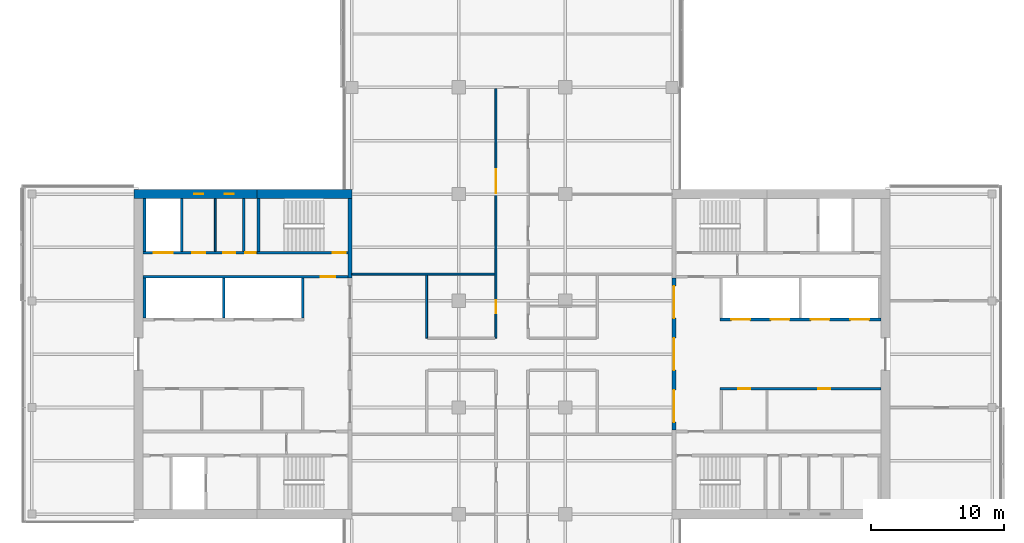
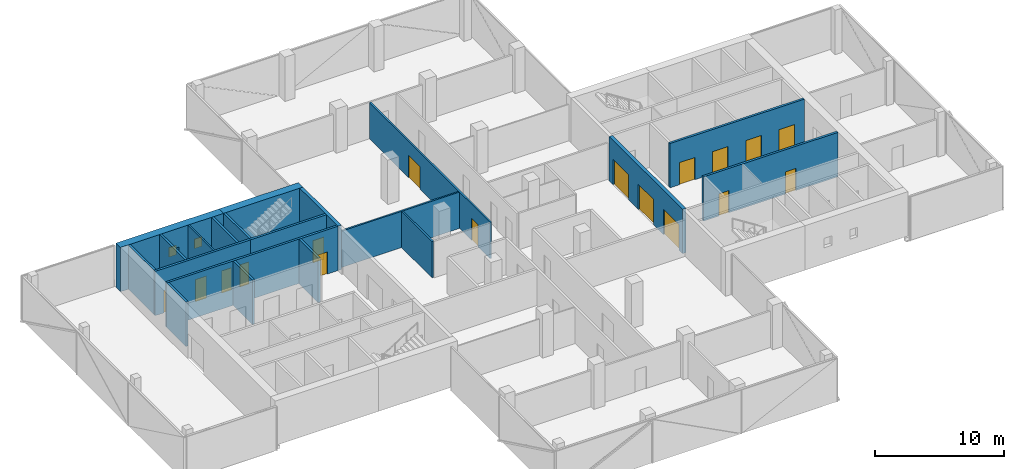
# One storey, part 15 of 22: 20 walls, 17 doors, 2 windows, 19 openings.
"""IFC4 building model written with IfcOpenShell, lengths in metres."""

import ifcopenshell
import ifcopenshell.guid

model = None  # the IFC model being written
_history = None  # IfcOwnerHistory: only IFC2X3 demands one
_inside = {}  # id of a spatial element -> (the spatial element, [elements in it])
_under = {}  # id of a project, library or spatial element -> (it, [spatial elements below it])
_declared = {}  # id of a project -> (the project, [libraries it declares])
_typed = {}  # id of a type object -> (the type object, [elements of that type])
_made_of = {}  # id of a material, layer set ... -> (it, [elements and type objects made of it])


def new_model(schema):
    """Start an empty IFC model of exactly this schema.

    Asked for "IFC4X3", IfcOpenShell would pick the latest addendum, in which some entities
    have other attributes; the version numbers below select the first issue.
    IFC2X3 requires an IfcOwnerHistory on every rooted entity: one is made here for all.
    """
    global model, _history
    if schema == "IFC4X3":
        model = ifcopenshell.file(schema_version=(4, 3, 0, 0))
    else:
        model = ifcopenshell.file(schema=schema)
    _inside.clear()
    _under.clear()
    _declared.clear()
    _typed.clear()
    _made_of.clear()
    _history = None
    if model.schema == "IFC2X3":
        org = make("IfcOrganization", Name="unknown")
        user = make(
            "IfcPersonAndOrganization",
            ThePerson=make("IfcPerson", FamilyName="unknown"),
            TheOrganization=org,
        )
        app = make(
            "IfcApplication",
            ApplicationDeveloper=org,
            Version="unknown",
            ApplicationFullName="unknown",
            ApplicationIdentifier="unknown",
        )
        _history = make(
            "IfcOwnerHistory",
            OwningUser=user,
            OwningApplication=app,
            ChangeAction="ADDED",
            CreationDate=0,
        )
    return model


def make(cls, **values):
    """One entity of the class cls with the attributes given. An attribute that is None is left unset."""
    return model.create_entity(
        cls, **{name: value for name, value in values.items() if value is not None}
    )


def rooted(cls, **values):
    """An entity with a GlobalId (a new one), such as an element, a storey or a relation."""
    return make(cls, GlobalId=ifcopenshell.guid.new(), OwnerHistory=_history, **values)


def si_unit(unit_type, name, prefix=None):
    """IfcSIUnit, for example si_unit("LENGTHUNIT", "METRE", prefix="MILLI")."""
    return make("IfcSIUnit", UnitType=unit_type, Prefix=prefix, Name=name)


def assignment(units):
    """IfcUnitAssignment: the units of a project."""
    return None if units is None else make("IfcUnitAssignment", Units=units)


def point(xyz):
    """IfcCartesianPoint."""
    return None if xyz is None else make("IfcCartesianPoint", Coordinates=xyz)


def direction(xyz):
    """IfcDirection."""
    return None if xyz is None else make("IfcDirection", DirectionRatios=xyz)


def frame(location, z_axis=None, x_axis=None):
    """IfcAxis2Placement3D, a coordinate frame: its origin and axes. An axis left out is left unset."""
    return make(
        "IfcAxis2Placement3D",
        Location=point(location),
        Axis=direction(z_axis),
        RefDirection=direction(x_axis),
    )


def frame_2d(location, x_axis=None):
    """IfcAxis2Placement2D, a coordinate frame in the plane: its origin and x axis."""
    return make(
        "IfcAxis2Placement2D", Location=point(location), RefDirection=direction(x_axis)
    )


def origin():
    """The frame at (0, 0, 0) with its axes left unset."""
    return frame((0.0, 0.0, 0.0))


def place(relative_to, where):
    """IfcLocalPlacement: puts the frame where relative to a parent placement (None: the world)."""
    return make(
        "IfcLocalPlacement", PlacementRelTo=relative_to, RelativePlacement=where
    )


def context(
    kind, dimensions, precision=None, world=None, true_north=None, identifier=None
):
    """IfcGeometricRepresentationContext, for example the 3D "Model" context."""
    return make(
        "IfcGeometricRepresentationContext",
        ContextIdentifier=identifier,
        ContextType=kind,
        CoordinateSpaceDimension=dimensions,
        Precision=precision,
        WorldCoordinateSystem=world,
        TrueNorth=true_north,
    )


def subcontext(parent, identifier, kind, view, scale=None):
    """IfcGeometricRepresentationSubContext, for example "Body" below "Model"."""
    return make(
        "IfcGeometricRepresentationSubContext",
        ContextIdentifier=identifier,
        ContextType=kind,
        ParentContext=parent,
        TargetScale=scale,
        TargetView=view,
    )


def project(units=None, contexts=None):
    """IfcProject with its units and contexts."""
    return rooted(
        "IfcProject",
        Name="project",
        RepresentationContexts=contexts,
        UnitsInContext=assignment(units),
    )


def spatial(cls, under=None, at=None, **own):
    """A site, building, storey or space (cls), placed at a placement, below another one or the project."""
    s = rooted(cls, ObjectPlacement=at, **own)
    if under is not None:
        _under.setdefault(under.id(), (under, []))[1].append(s)
    return s


def profile(cls, at=None, kind="AREA", **sizes):
    """A parametric profile (cls). Its sizes go by their IFC names, for example OverallWidth=200.0."""
    return make(cls, ProfileType=kind, Position=at, **sizes)


def rectangle(**sizes):
    """IfcRectangleProfileDef."""
    return profile("IfcRectangleProfileDef", **sizes)


def extrude(swept, where, along, depth):
    """IfcExtrudedAreaSolid: the profile swept, set in the frame where, extruded along a direction by depth."""
    return make(
        "IfcExtrudedAreaSolid",
        SweptArea=swept,
        Position=where,
        ExtrudedDirection=direction(along),
        Depth=depth,
    )


def shape(context_of_items, identifier, shape_type, items):
    """IfcShapeRepresentation: the items that make up one representation, for example the "Body"."""
    return make(
        "IfcShapeRepresentation",
        ContextOfItems=context_of_items,
        RepresentationIdentifier=identifier,
        RepresentationType=shape_type,
        Items=items,
    )


def material(Name=None, Category=None):
    """IfcMaterial."""
    return make("IfcMaterial", Name=Name, Category=Category)


def layer(
    of_material, thickness, ventilated=None, Name=None, Category=None, Priority=None
):
    """IfcMaterialLayer: one layer of a wall or slab, of a material (None: an air gap)."""
    return make(
        "IfcMaterialLayer",
        Material=of_material,
        LayerThickness=thickness,
        IsVentilated=ventilated,
        Name=Name,
        Category=Category,
        Priority=Priority,
    )


def layer_set(layers, Name=None):
    """IfcMaterialLayerSet."""
    return make("IfcMaterialLayerSet", MaterialLayers=layers, LayerSetName=Name)


def constituent(of_material, Name=None, Category=None, fraction=None):
    """IfcMaterialConstituent: one of the materials an element consists of."""
    return make(
        "IfcMaterialConstituent",
        Name=Name,
        Material=of_material,
        Fraction=fraction,
        Category=Category,
    )


def constituent_set(constituents=None, Name=None):
    """IfcMaterialConstituentSet."""
    return make(
        "IfcMaterialConstituentSet", Name=Name, MaterialConstituents=constituents
    )


def made_of(thing, what):
    """Note that an element or type object is made of a material, layer set ...; save() writes the relation."""
    if what is not None:
        _made_of.setdefault(what.id(), (what, []))[1].append(thing)
    return thing


def type_object(cls, material=None, **own):
    """A type object (cls), such as IfcWallType, which elements share."""
    return made_of(rooted(cls, **own), material)


def element(
    cls,
    number,
    at=None,
    inside=None,
    cuts=None,
    type_object=None,
    material=None,
    context=None,
    identifier="Body",
    shape_type=None,
    held_by="IfcProductDefinitionShape",
    body=None,
    shapes=None,
    **own,
):
    """One element of the class cls, such as IfcWall. Its Tag is "e" and its number.

    at: its placement. inside: the storey or other place that contains it. cuts: it is an
    opening in that element (IfcRelVoidsElement). A single representation is given by context,
    identifier, shape_type and body (its items); several are given by shapes. held_by: the class
    of the entity that holds the representations. save() writes the other relations.
    """
    e = rooted(cls, Tag="e%d" % number, ObjectPlacement=at, **own)
    if body is not None:
        shapes = [shape(context, identifier, shape_type, body)]
    if shapes is not None:
        e.Representation = make(held_by, Representations=shapes)
    if inside is not None:
        _inside.setdefault(inside.id(), (inside, []))[1].append(e)
    if cuts is not None:
        rooted(
            "IfcRelVoidsElement", RelatingBuildingElement=cuts, RelatedOpeningElement=e
        )
    if type_object is not None:
        _typed.setdefault(type_object.id(), (type_object, []))[1].append(e)
    return made_of(e, material)


def fill(opening, filler):
    """IfcRelFillsElement: the door or window that sits in an opening."""
    return rooted(
        "IfcRelFillsElement",
        RelatingOpeningElement=opening,
        RelatedBuildingElement=filler,
    )


def aggregate(whole, parts):
    """IfcRelAggregates: a whole, such as a stair, and the parts it consists of."""
    return rooted("IfcRelAggregates", RelatingObject=whole, RelatedObjects=parts)


def save(model, path):
    """Write the relations noted so far, then the file.

    IfcRelAggregates (storeys below a building ...), IfcRelContainedInSpatialStructure (elements
    in a storey), IfcRelDefinesByType, IfcRelAssociatesMaterial and IfcRelDeclares: one each for
    every whole, place, type object, material and project.
    """
    for whole, parts in _under.values():
        aggregate(whole, parts)
    for where, things in _inside.values():
        rooted(
            "IfcRelContainedInSpatialStructure",
            RelatedElements=things,
            RelatingStructure=where,
        )
    for kind, things in _typed.values():
        rooted("IfcRelDefinesByType", RelatedObjects=things, RelatingType=kind)
    for what, things in _made_of.values():
        rooted("IfcRelAssociatesMaterial", RelatedObjects=things, RelatingMaterial=what)
    for by, libraries in _declared.values():
        rooted("IfcRelDeclares", RelatingContext=by, RelatedDefinitions=libraries)
    model.write(path)


model = new_model("IFC4")

# Units and contexts
model_context = context("Model", 3, precision=1e-05, world=origin(), true_north=direction((0.0, 1.0)))
body_context = subcontext(model_context, "Body", "Model", "MODEL_VIEW")
ifc_project = project(units=[si_unit("LENGTHUNIT", "METRE"), si_unit("AREAUNIT", "SQUARE_METRE"), si_unit("VOLUMEUNIT", "CUBIC_METRE"), si_unit("PLANEANGLEUNIT", "RADIAN"), si_unit("MASSUNIT", "GRAM", prefix="KILO")], contexts=[model_context])

# Site, building, storey
site_placement = place(None, origin())
site = spatial("IfcSite", under=ifc_project, at=site_placement, CompositionType="ELEMENT")
building_placement = place(site_placement, origin())
building = spatial("IfcBuilding", under=site, at=building_placement, Name="Crosswind Convention Tower", CompositionType="ELEMENT")
storey_placement = place(building_placement, frame((0.0, 0.0, 146.300048828125)))
storey = spatial("IfcBuildingStorey", under=building, at=storey_placement, Name="L30", CompositionType="ELEMENT", Elevation=146.300048828125)

# Wall
ifc_material_1 = material(Name="Concrete blockwork", Category="masonry")
ifc_layer_1 = layer(ifc_material_1, 0.199951171875)
ifc_layer_set_1 = layer_set([ifc_layer_1], Name="Blockwork partition wall 200")
wall_type_1 = type_object("IfcWallType", Name="Blockwork partition wall 200", PredefinedType="PARTITIONING", material=ifc_layer_set_1)
wall_1_placement = place(storey_placement, frame((104.89990234375, 111.64990234375, 0.0), z_axis=(0.0, 0.0, 1.0), x_axis=(0.0, -1.0, 0.0)))
element("IfcWall", 1, at=wall_1_placement, inside=storey, type_object=wall_type_1, Name="Wall MRSE W L30", PredefinedType="PARTITIONING", context=body_context, shape_type="SweptSolid", body=[
    extrude(rectangle(XDim=3.949951171875, YDim=0.199951171875, at=frame_2d((1.97509765625, 0.0))), origin(), (0.0, 0.0, 1.0), 4.199951171875),
])

# Wall, openings, doors
ifc_material_2 = material(Name="Concrete C50/60", Category="concrete")
ifc_layer_2 = layer(ifc_material_2, 0.300048828125)
ifc_layer_set_2 = layer_set([ifc_layer_2], Name="Concrete C50/60")
wall_type_2 = type_object("IfcWallType", Name="Concrete inner core wall 300", PredefinedType="SHEAR", material=ifc_layer_set_2)
wall_2_placement = place(storey_placement, frame((137.14990234375, 94.300048828125, 0.0), z_axis=(0.0, 0.0, 1.0), x_axis=(0.0, 1.0, 0.0)))
wall_2 = element("IfcWall", 2, at=wall_2_placement, inside=storey, type_object=wall_type_2, Name="Wall SCR E L30", PredefinedType="SHEAR", context=body_context, shape_type="SweptSolid", body=[
    extrude(rectangle(XDim=11.39990234375, YDim=0.300048828125, at=frame_2d((5.699951171875, 0.0))), origin(), (0.0, 0.0, 1.0), 4.199951171875),
])
opening_1_placement = place(wall_2_placement, frame((0.60009765625, 0.0, 0.0)))
opening_1 = element("IfcOpeningElement", 3, at=opening_1_placement, cuts=wall_2, Name="Opening D100", PredefinedType="OPENING", context=body_context, shape_type="SweptSolid", body=[
    extrude(rectangle(XDim=2.39990234375, YDim=2.39990234375, at=frame_2d((1.199951171875, 1.199951171875))), frame((0.0, 0.159912109375, 0.0), z_axis=(0.0, -1.0, 0.0), x_axis=(1.0, 0.0, 0.0)), (0.0, 0.0, 1.0), 0.320068359375),
])
opening_2_placement = place(wall_2_placement, frame((4.5, 0.0, 0.0)))
opening_2 = element("IfcOpeningElement", 4, at=opening_2_placement, cuts=wall_2, Name="Opening D100", PredefinedType="OPENING", context=body_context, shape_type="SweptSolid", body=[
    extrude(rectangle(XDim=2.39990234375, YDim=2.39990234375, at=frame_2d((1.199951171875, 1.199951171875))), frame((0.0, 0.159912109375, 0.0), z_axis=(0.0, -1.0, 0.0), x_axis=(1.0, 0.0, 0.0)), (0.0, 0.0, 1.0), 0.320068359375),
])
opening_3_placement = place(wall_2_placement, frame((8.39990234375, 0.0, 0.0)))
opening_3 = element("IfcOpeningElement", 5, at=opening_3_placement, cuts=wall_2, Name="Opening D100", PredefinedType="OPENING", context=body_context, shape_type="SweptSolid", body=[
    extrude(rectangle(XDim=2.39990234375, YDim=2.39990234375, at=frame_2d((1.199951171875, 1.199951171875))), frame((0.0, 0.159912109375, 0.0), z_axis=(0.0, -1.0, 0.0), x_axis=(1.0, 0.0, 0.0)), (0.0, 0.0, 1.0), 0.320068359375),
])
ifc_material_3 = material(Name="Steel fire door with glazed vision panels", Category="steel")
door_type_1 = type_object("IfcDoorType", Name="Fire-rated double door 2400x2400", OperationType="DOUBLE_DOOR_SINGLE_SWING", PredefinedType="DOOR", material=ifc_material_3)
door_1_placement = place(opening_1_placement, origin())
door_1 = element("IfcDoor", 6, at=door_1_placement, inside=storey, type_object=door_type_1, Name="Lobby door 1 L30", ObjectType="D100", OperationType="DOUBLE_DOOR_SINGLE_SWING", OverallHeight=2.39990234375, OverallWidth=2.39990234375, PredefinedType="DOOR", context=body_context, shape_type="SweptSolid", body=[
    extrude(rectangle(XDim=2.39990234375, YDim=2.39990234375, at=frame_2d((1.199951171875, 1.199951171875))), frame((0.0, 0.02490234375, 0.0), z_axis=(0.0, -1.0, 0.0), x_axis=(1.0, 0.0, 0.0)), (0.0, 0.0, 1.0), 0.050048828125),
])
fill(opening_1, door_1)
door_2_placement = place(opening_2_placement, origin())
door_2 = element("IfcDoor", 7, at=door_2_placement, inside=storey, type_object=door_type_1, Name="Lobby door 2 L30", ObjectType="D100", OperationType="DOUBLE_DOOR_SINGLE_SWING", OverallHeight=2.39990234375, OverallWidth=2.39990234375, PredefinedType="DOOR", context=body_context, shape_type="SweptSolid", body=[
    extrude(rectangle(XDim=2.39990234375, YDim=2.39990234375, at=frame_2d((1.199951171875, 1.199951171875))), frame((0.0, 0.02490234375, 0.0), z_axis=(0.0, -1.0, 0.0), x_axis=(1.0, 0.0, 0.0)), (0.0, 0.0, 1.0), 0.050048828125),
])
fill(opening_2, door_2)
door_3_placement = place(opening_3_placement, origin())
door_3 = element("IfcDoor", 8, at=door_3_placement, inside=storey, type_object=door_type_1, Name="Lobby door 3 L30", ObjectType="D100", OperationType="DOUBLE_DOOR_SINGLE_SWING", OverallHeight=2.39990234375, OverallWidth=2.39990234375, PredefinedType="DOOR", context=body_context, shape_type="SweptSolid", body=[
    extrude(rectangle(XDim=2.39990234375, YDim=2.39990234375, at=frame_2d((1.199951171875, 1.199951171875))), frame((0.0, 0.02490234375, 0.0), z_axis=(0.0, -1.0, 0.0), x_axis=(1.0, 0.0, 0.0)), (0.0, 0.0, 1.0), 0.050048828125),
])
fill(opening_3, door_3)

# Wall
wall_3_placement = place(storey_placement, frame((112.85009765625, 111.64990234375, 0.0), z_axis=(0.0, 0.0, 1.0), x_axis=(0.0, -1.0, 0.0)))
element("IfcWall", 9, at=wall_3_placement, inside=storey, type_object=wall_type_2, Name="Wall EM W L30", PredefinedType="SHEAR", context=body_context, shape_type="SweptSolid", body=[
    extrude(rectangle(XDim=5.949951171875, YDim=0.300048828125, at=frame_2d((2.97509765625, 0.0))), origin(), (0.0, 0.0, 1.0), 4.199951171875),
])

# Wall, openings, doors
ifc_layer_3 = layer(ifc_material_2, 0.199951171875)
ifc_layer_set_3 = layer_set([ifc_layer_3], Name="Concrete C50/60")
wall_type_3 = type_object("IfcWallType", Name="Concrete shaft and stair wall 200", PredefinedType="SHEAR", material=ifc_layer_set_3)
wall_4_placement = place(storey_placement, frame((140.60009765625, 102.60009765625, 0.0), z_axis=(0.0, 0.0, 1.0), x_axis=(1.0, 0.0, 0.0)))
wall_4 = element("IfcWall", 10, at=wall_4_placement, inside=storey, type_object=wall_type_3, Name="Wall RPFRONT E L30", PredefinedType="SHEAR", context=body_context, shape_type="SweptSolid", body=[
    extrude(rectangle(XDim=12.0498046875, YDim=0.199951171875, at=frame_2d((6.02490234375, 0.0))), origin(), (0.0, 0.0, 1.0), 4.199951171875),
])
opening_4_placement = place(wall_4_placement, frame((0.85009765625, 0.0, 0.0)))
opening_4 = element("IfcOpeningElement", 11, at=opening_4_placement, cuts=wall_4, Name="Opening LD2", PredefinedType="OPENING", context=body_context, shape_type="SweptSolid", body=[
    extrude(rectangle(XDim=1.39990234375, YDim=2.10009765625, at=frame_2d((0.699951171875, 1.050048828125))), frame((0.0, 0.10986328125, 0.0), z_axis=(0.0, -1.0, 0.0), x_axis=(1.0, 0.0, 0.0)), (0.0, 0.0, 1.0), 0.219970703125),
])
opening_5_placement = place(wall_4_placement, frame((3.800048828125, 0.0, 0.0)))
opening_5 = element("IfcOpeningElement", 12, at=opening_5_placement, cuts=wall_4, Name="Opening LD2", PredefinedType="OPENING", context=body_context, shape_type="SweptSolid", body=[
    extrude(rectangle(XDim=1.39990234375, YDim=2.10009765625, at=frame_2d((0.699951171875, 1.050048828125))), frame((0.0, 0.10986328125, 0.0), z_axis=(0.0, -1.0, 0.0), x_axis=(1.0, 0.0, 0.0)), (0.0, 0.0, 1.0), 0.219970703125),
])
opening_6_placement = place(wall_4_placement, frame((6.800048828125, 0.0, 0.0)))
opening_6 = element("IfcOpeningElement", 13, at=opening_6_placement, cuts=wall_4, Name="Opening LD2", PredefinedType="OPENING", context=body_context, shape_type="SweptSolid", body=[
    extrude(rectangle(XDim=1.39990234375, YDim=2.10009765625, at=frame_2d((0.699951171875, 1.050048828125))), frame((0.0, 0.10986328125, 0.0), z_axis=(0.0, -1.0, 0.0), x_axis=(1.0, 0.0, 0.0)), (0.0, 0.0, 1.0), 0.219970703125),
])
opening_7_placement = place(wall_4_placement, frame((9.77490234375, 0.0, 0.0)))
opening_7 = element("IfcOpeningElement", 14, at=opening_7_placement, cuts=wall_4, Name="Opening LD2", PredefinedType="OPENING", context=body_context, shape_type="SweptSolid", body=[
    extrude(rectangle(XDim=1.39990234375, YDim=2.10009765625, at=frame_2d((0.699951171875, 1.050048828125))), frame((0.0, 0.10986328125, 0.0), z_axis=(0.0, -1.0, 0.0), x_axis=(1.0, 0.0, 0.0)), (0.0, 0.0, 1.0), 0.219970703125),
])
ifc_material_4 = material(Name="Stainless steel", Category="steel")
door_type_2 = type_object("IfcDoorType", Name="Lift landing door 1400x2100", OperationType="DOUBLE_DOOR_SLIDING", PredefinedType="DOOR", material=ifc_material_4)
door_4_placement = place(opening_4_placement, origin())
door_4 = element("IfcDoor", 15, at=door_4_placement, inside=storey, type_object=door_type_2, Name="Landing door A1 L30", ObjectType="LD2", OperationType="DOUBLE_DOOR_SLIDING", OverallHeight=2.10009765625, OverallWidth=1.39990234375, PredefinedType="DOOR", context=body_context, shape_type="SweptSolid", body=[
    extrude(rectangle(XDim=1.39990234375, YDim=2.10009765625, at=frame_2d((0.699951171875, 1.050048828125))), frame((0.0, 0.02490234375, 0.0), z_axis=(0.0, -1.0, 0.0), x_axis=(1.0, 0.0, 0.0)), (0.0, 0.0, 1.0), 0.050048828125),
])
fill(opening_4, door_4)
door_5_placement = place(opening_5_placement, origin())
door_5 = element("IfcDoor", 16, at=door_5_placement, inside=storey, type_object=door_type_2, Name="Landing door A2 L30", ObjectType="LD2", OperationType="DOUBLE_DOOR_SLIDING", OverallHeight=2.10009765625, OverallWidth=1.39990234375, PredefinedType="DOOR", context=body_context, shape_type="SweptSolid", body=[
    extrude(rectangle(XDim=1.39990234375, YDim=2.10009765625, at=frame_2d((0.699951171875, 1.050048828125))), frame((0.0, 0.02490234375, 0.0), z_axis=(0.0, -1.0, 0.0), x_axis=(1.0, 0.0, 0.0)), (0.0, 0.0, 1.0), 0.050048828125),
])
fill(opening_5, door_5)
door_6_placement = place(opening_6_placement, origin())
door_6 = element("IfcDoor", 17, at=door_6_placement, inside=storey, type_object=door_type_2, Name="Landing door A3 L30", ObjectType="LD2", OperationType="DOUBLE_DOOR_SLIDING", OverallHeight=2.10009765625, OverallWidth=1.39990234375, PredefinedType="DOOR", context=body_context, shape_type="SweptSolid", body=[
    extrude(rectangle(XDim=1.39990234375, YDim=2.10009765625, at=frame_2d((0.699951171875, 1.050048828125))), frame((0.0, 0.02490234375, 0.0), z_axis=(0.0, -1.0, 0.0), x_axis=(1.0, 0.0, 0.0)), (0.0, 0.0, 1.0), 0.050048828125),
])
fill(opening_6, door_6)
door_7_placement = place(opening_7_placement, origin())
door_7 = element("IfcDoor", 18, at=door_7_placement, inside=storey, type_object=door_type_2, Name="Landing door A4 L30", ObjectType="LD2", OperationType="DOUBLE_DOOR_SLIDING", OverallHeight=2.10009765625, OverallWidth=1.39990234375, PredefinedType="DOOR", context=body_context, shape_type="SweptSolid", body=[
    extrude(rectangle(XDim=1.39990234375, YDim=2.10009765625, at=frame_2d((0.699951171875, 1.050048828125))), frame((0.0, 0.02490234375, 0.0), z_axis=(0.0, -1.0, 0.0), x_axis=(1.0, 0.0, 0.0)), (0.0, 0.0, 1.0), 0.050048828125),
])
fill(opening_7, door_7)

wall_5_placement = place(storey_placement, frame((140.60009765625, 97.39990234375, 0.0), z_axis=(0.0, 0.0, 1.0), x_axis=(1.0, 0.0, 0.0)))
wall_5 = element("IfcWall", 19, at=wall_5_placement, inside=storey, type_object=wall_type_3, Name="Wall RMFRONT E L30", PredefinedType="SHEAR", context=body_context, shape_type="SweptSolid", body=[
    extrude(rectangle(XDim=12.0498046875, YDim=0.199951171875, at=frame_2d((6.02490234375, 0.0))), origin(), (0.0, 0.0, 1.0), 4.199951171875),
])
opening_8_placement = place(wall_5_placement, frame((1.377685546875, 0.0, 0.0)))
opening_8 = element("IfcOpeningElement", 20, at=opening_8_placement, cuts=wall_5, Name="Opening D106", PredefinedType="OPENING", context=body_context, shape_type="SweptSolid", body=[
    extrude(rectangle(XDim=0.89990234375, YDim=2.10009765625, at=frame_2d((0.449951171875, 1.050048828125))), frame((0.0, 0.10986328125, 0.0), z_axis=(0.0, -1.0, 0.0), x_axis=(1.0, 0.0, 0.0)), (0.0, 0.0, 1.0), 0.219970703125),
])
opening_9_placement = place(wall_5_placement, frame((7.365234375, 0.0, 0.0)))
opening_9 = element("IfcOpeningElement", 21, at=opening_9_placement, cuts=wall_5, Name="Opening D106", PredefinedType="OPENING", context=body_context, shape_type="SweptSolid", body=[
    extrude(rectangle(XDim=0.89990234375, YDim=2.10009765625, at=frame_2d((0.449951171875, 1.050048828125))), frame((0.0, 0.10986328125, 0.0), z_axis=(0.0, -1.0, 0.0), x_axis=(1.0, 0.0, 0.0)), (0.0, 0.0, 1.0), 0.219970703125),
])
ifc_material_5 = material(Name="Timber door", Category="wood")
door_type_3 = type_object("IfcDoorType", Name="Single leaf door 900x2100", OperationType="NOTDEFINED", PredefinedType="DOOR", material=ifc_material_5)
door_8_placement = place(opening_8_placement, frame((0.89990234375, 0.0, 0.0), z_axis=(0.0, 0.0, 1.0), x_axis=(-1.0, 0.0, 0.0)))
door_8 = element("IfcDoor", 22, at=door_8_placement, inside=storey, type_object=door_type_3, Name="Door to copy and print room L30", ObjectType="D106", OperationType="SINGLE_SWING_LEFT", OverallHeight=2.10009765625, OverallWidth=0.89990234375, PredefinedType="DOOR", context=body_context, shape_type="SweptSolid", body=[
    extrude(rectangle(XDim=0.89990234375, YDim=2.10009765625, at=frame_2d((0.449951171875, 1.050048828125))), frame((0.0, 0.02490234375, 0.0), z_axis=(0.0, -1.0, 0.0), x_axis=(1.0, 0.0, 0.0)), (0.0, 0.0, 1.0), 0.050048828125),
])
fill(opening_8, door_8)
door_9_placement = place(opening_9_placement, frame((0.89990234375, 0.0, 0.0), z_axis=(0.0, 0.0, 1.0), x_axis=(-1.0, 0.0, 0.0)))
door_9 = element("IfcDoor", 23, at=door_9_placement, inside=storey, type_object=door_type_3, Name="Door to meeting room L30", ObjectType="D106", OperationType="SINGLE_SWING_LEFT", OverallHeight=2.10009765625, OverallWidth=0.89990234375, PredefinedType="DOOR", context=body_context, shape_type="SweptSolid", body=[
    extrude(rectangle(XDim=0.89990234375, YDim=2.10009765625, at=frame_2d((0.449951171875, 1.050048828125))), frame((0.0, 0.02490234375, 0.0), z_axis=(0.0, -1.0, 0.0), x_axis=(1.0, 0.0, 0.0)), (0.0, 0.0, 1.0), 0.050048828125),
])
fill(opening_9, door_9)

# Walls
for number, where, z_axis, x_axis, name in (
    (24, (109.300048828125, 105.699951171875, 0.0), (0.0, 0.0, 1.0), (0.0, -1.0, 0.0), "Wall RMEND W L30"),
    (25, (103.39990234375, 105.699951171875, 0.0), (0.0, 0.0, 1.0), (0.0, -1.0, 0.0), "Wall RMSEP W L30"),
    (26, (97.449951171875, 105.699951171875, 0.0), (0.0, 0.0, 1.0), (0.0, -1.0, 0.0), "Wall RMEAST W L30"),
):
    element("IfcWall", number, at=place(storey_placement, frame(where, z_axis=z_axis, x_axis=x_axis)), inside=storey, type_object=wall_type_3, Name=name, PredefinedType="SHEAR", context=body_context, shape_type="SweptSolid", body=[
        extrude(rectangle(XDim=3.0, YDim=0.199951171875, at=frame_2d((1.5, 0.0))), origin(), (0.0, 0.0, 1.0), 4.199951171875),
    ])

# Wall, opening, door
wall_6_placement = place(storey_placement, frame((112.699951171875, 105.800048828125, 0.0), z_axis=(0.0, 0.0, 1.0), x_axis=(-1.0, 0.0, 0.0)))
wall_6 = element("IfcWall", 27, at=wall_6_placement, inside=storey, type_object=wall_type_3, Name="Wall HM W L30", PredefinedType="SHEAR", context=body_context, shape_type="SweptSolid", body=[
    extrude(rectangle(XDim=15.349853515625, YDim=0.199951171875, at=frame_2d((7.6748046875, 0.0))), origin(), (0.0, 0.0, 1.0), 4.199951171875),
])
opening_10_placement = place(wall_6_placement, frame((0.949951171875, 0.0, 0.0)))
opening_10 = element("IfcOpeningElement", 28, at=opening_10_placement, cuts=wall_6, Name="Opening D104", PredefinedType="OPENING", context=body_context, shape_type="SweptSolid", body=[
    extrude(rectangle(XDim=1.10009765625, YDim=2.10009765625, at=frame_2d((0.550048828125, 1.050048828125))), frame((0.0, 0.10986328125, 0.0), z_axis=(0.0, -1.0, 0.0), x_axis=(1.0, 0.0, 0.0)), (0.0, 0.0, 1.0), 0.219970703125),
])
ifc_material_6 = material(Name="Steel fire door", Category="steel")
door_type_4 = type_object("IfcDoorType", Name="Fire-rated single door 1100x2100", OperationType="NOTDEFINED", PredefinedType="DOOR", material=ifc_material_6)
door_10_placement = place(opening_10_placement, origin())
door_10 = element("IfcDoor", 29, at=door_10_placement, inside=storey, type_object=door_type_4, Name="Corridor door L30", ObjectType="D104", OperationType="SINGLE_SWING_LEFT", OverallHeight=2.10009765625, OverallWidth=1.10009765625, PredefinedType="DOOR", context=body_context, shape_type="SweptSolid", body=[
    extrude(rectangle(XDim=1.10009765625, YDim=2.10009765625, at=frame_2d((0.550048828125, 1.050048828125))), frame((0.0, 0.02490234375, 0.0), z_axis=(0.0, -1.0, 0.0), x_axis=(1.0, 0.0, 0.0)), (0.0, 0.0, 1.0), 0.050048828125),
])
fill(opening_10, door_10)

# Walls
for number, where, z_axis, x_axis, name in (
    (30, (106.0, 111.64990234375, 0.0), (0.0, 0.0, 1.0), (0.0, -1.0, 0.0), "Wall MSE W L30"),
    (31, (100.25, 111.64990234375, 0.0), (0.0, 0.0, 1.0), (0.0, -1.0, 0.0), "Wall MFSW W L30"),
    (32, (97.449951171875, 111.64990234375, 0.0), (0.0, 0.0, 1.0), (0.0, -1.0, 0.0), "Wall MFSE W L30"),
):
    element("IfcWall", number, at=place(storey_placement, frame(where, z_axis=z_axis, x_axis=x_axis)), inside=storey, type_object=wall_type_3, Name=name, PredefinedType="SHEAR", context=body_context, shape_type="SweptSolid", body=[
        extrude(rectangle(XDim=3.949951171875, YDim=0.199951171875, at=frame_2d((1.97509765625, 0.0))), origin(), (0.0, 0.0, 1.0), 4.199951171875),
    ])

# Wall, opening, door
wall_7_placement = place(storey_placement, frame((112.699951171875, 107.60009765625, 0.0), z_axis=(0.0, 0.0, 1.0), x_axis=(-1.0, 0.0, 0.0)))
wall_7 = element("IfcWall", 33, at=wall_7_placement, inside=storey, type_object=wall_type_3, Name="Wall MCW W L30", PredefinedType="SHEAR", context=body_context, shape_type="SweptSolid", body=[
    extrude(rectangle(XDim=6.800048828125, YDim=0.199951171875, at=frame_2d((3.39990234375, 0.0))), origin(), (0.0, 0.0, 1.0), 4.199951171875),
])
opening_11_placement = place(wall_7_placement, frame((0.14990234375, 0.0, 0.0)))
opening_11 = element("IfcOpeningElement", 34, at=opening_11_placement, cuts=wall_7, Name="Opening D103", PredefinedType="OPENING", context=body_context, shape_type="SweptSolid", body=[
    extrude(rectangle(XDim=1.0, YDim=2.10009765625, at=frame_2d((0.5, 1.050048828125))), frame((0.0, 0.10986328125, 0.0), z_axis=(0.0, -1.0, 0.0), x_axis=(1.0, 0.0, 0.0)), (0.0, 0.0, 1.0), 0.219970703125),
])
door_type_5 = type_object("IfcDoorType", Name="Fire-rated single door 1000x2100", OperationType="NOTDEFINED", PredefinedType="DOOR", material=ifc_material_6)
door_11_placement = place(opening_11_placement, frame((1.0, 0.0, 0.0), z_axis=(0.0, 0.0, 1.0), x_axis=(-1.0, 0.0, 0.0)))
door_11 = element("IfcDoor", 35, at=door_11_placement, inside=storey, type_object=door_type_5, Name="Stair ST4 door L30", ObjectType="D103", OperationType="SINGLE_SWING_RIGHT", OverallHeight=2.10009765625, OverallWidth=1.0, PredefinedType="DOOR", context=body_context, shape_type="SweptSolid", body=[
    extrude(rectangle(XDim=1.0, YDim=2.10009765625, at=frame_2d((0.5, 1.050048828125))), frame((0.0, 0.02490234375, 0.0), z_axis=(0.0, -1.0, 0.0), x_axis=(1.0, 0.0, 0.0)), (0.0, 0.0, 1.0), 0.050048828125),
])
fill(opening_11, door_11)

# Wall, openings, doors
wall_8_placement = place(storey_placement, frame((105.89990234375, 107.60009765625, 0.0), z_axis=(0.0, 0.0, 1.0), x_axis=(-1.0, 0.0, 0.0)))
wall_8 = element("IfcWall", 36, at=wall_8_placement, inside=storey, type_object=wall_type_3, Name="Wall MCX W L30", PredefinedType="SHEAR", context=body_context, shape_type="SweptSolid", body=[
    extrude(rectangle(XDim=8.5498046875, YDim=0.199951171875, at=frame_2d((4.27490234375, 0.0))), origin(), (0.0, 0.0, 1.0), 4.199951171875),
])
opening_12_placement = place(wall_8_placement, frame((0.10009765625, 0.0, 0.0)))
opening_12 = element("IfcOpeningElement", 37, at=opening_12_placement, cuts=wall_8, Name="Opening D105", PredefinedType="OPENING", context=body_context, shape_type="SweptSolid", body=[
    extrude(rectangle(XDim=0.800048828125, YDim=2.10009765625, at=frame_2d((0.39990234375, 1.050048828125))), frame((0.0, 0.10986328125, 0.0), z_axis=(0.0, -1.0, 0.0), x_axis=(1.0, 0.0, 0.0)), (0.0, 0.0, 1.0), 0.219970703125),
])
opening_13_placement = place(wall_8_placement, frame((1.642333984375, 0.0, 0.0)))
opening_13 = element("IfcOpeningElement", 38, at=opening_13_placement, cuts=wall_8, Name="Opening D106", PredefinedType="OPENING", context=body_context, shape_type="SweptSolid", body=[
    extrude(rectangle(XDim=0.89990234375, YDim=2.10009765625, at=frame_2d((0.449951171875, 1.050048828125))), frame((0.0, 0.10986328125, 0.0), z_axis=(0.0, -1.0, 0.0), x_axis=(1.0, 0.0, 0.0)), (0.0, 0.0, 1.0), 0.219970703125),
])
opening_14_placement = place(wall_8_placement, frame((3.879638671875, 0.0, 0.0)))
opening_14 = element("IfcOpeningElement", 39, at=opening_14_placement, cuts=wall_8, Name="Opening D103", PredefinedType="OPENING", context=body_context, shape_type="SweptSolid", body=[
    extrude(rectangle(XDim=1.0, YDim=2.10009765625, at=frame_2d((0.5, 1.050048828125))), frame((0.0, 0.10986328125, 0.0), z_axis=(0.0, -1.0, 0.0), x_axis=(1.0, 0.0, 0.0)), (0.0, 0.0, 1.0), 0.219970703125),
])
opening_15_placement = place(wall_8_placement, frame((6.35009765625, 0.0, 0.0)))
opening_15 = element("IfcOpeningElement", 40, at=opening_15_placement, cuts=wall_8, Name="Opening LD2", PredefinedType="OPENING", context=body_context, shape_type="SweptSolid", body=[
    extrude(rectangle(XDim=1.39990234375, YDim=2.10009765625, at=frame_2d((0.699951171875, 1.050048828125))), frame((0.0, 0.10986328125, 0.0), z_axis=(0.0, -1.0, 0.0), x_axis=(1.0, 0.0, 0.0)), (0.0, 0.0, 1.0), 0.219970703125),
])
door_12_placement = place(opening_14_placement, frame((1.0, 0.0, 0.0), z_axis=(0.0, 0.0, 1.0), x_axis=(-1.0, 0.0, 0.0)))
door_12 = element("IfcDoor", 41, at=door_12_placement, inside=storey, type_object=door_type_5, Name="Door to accessible wc L30", ObjectType="D103", OperationType="SINGLE_SWING_LEFT", OverallHeight=2.10009765625, OverallWidth=1.0, PredefinedType="DOOR", context=body_context, shape_type="SweptSolid", body=[
    extrude(rectangle(XDim=1.0, YDim=2.10009765625, at=frame_2d((0.5, 1.050048828125))), frame((0.0, 0.02490234375, 0.0), z_axis=(0.0, -1.0, 0.0), x_axis=(1.0, 0.0, 0.0)), (0.0, 0.0, 1.0), 0.050048828125),
])
fill(opening_14, door_12)
door_13_placement = place(opening_15_placement, origin())
door_13 = element("IfcDoor", 42, at=door_13_placement, inside=storey, type_object=door_type_2, Name="Landing door SV2 L30", ObjectType="LD2", OperationType="DOUBLE_DOOR_SLIDING", OverallHeight=2.10009765625, OverallWidth=1.39990234375, PredefinedType="DOOR", context=body_context, shape_type="SweptSolid", body=[
    extrude(rectangle(XDim=1.39990234375, YDim=2.10009765625, at=frame_2d((0.699951171875, 1.050048828125))), frame((0.0, 0.02490234375, 0.0), z_axis=(0.0, -1.0, 0.0), x_axis=(1.0, 0.0, 0.0)), (0.0, 0.0, 1.0), 0.050048828125),
])
fill(opening_15, door_13)
door_type_6 = type_object("IfcDoorType", Name="Riser access door 800x2100", OperationType="NOTDEFINED", PredefinedType="DOOR", material=ifc_material_6)
door_14_placement = place(opening_12_placement, frame((0.800048828125, 0.0, 0.0), z_axis=(0.0, 0.0, 1.0), x_axis=(-1.0, 0.0, 0.0)))
door_14 = element("IfcDoor", 43, at=door_14_placement, inside=storey, type_object=door_type_6, Name="Riser door L30", ObjectType="D105", OperationType="SINGLE_SWING_LEFT", OverallHeight=2.10009765625, OverallWidth=0.800048828125, PredefinedType="DOOR", context=body_context, shape_type="SweptSolid", body=[
    extrude(rectangle(XDim=0.800048828125, YDim=2.10009765625, at=frame_2d((0.39990234375, 1.050048828125))), frame((0.0, 0.02490234375, 0.0), z_axis=(0.0, -1.0, 0.0), x_axis=(1.0, 0.0, 0.0)), (0.0, 0.0, 1.0), 0.050048828125),
])
fill(opening_12, door_14)
door_15_placement = place(opening_13_placement, frame((0.89990234375, 0.0, 0.0), z_axis=(0.0, 0.0, 1.0), x_axis=(-1.0, 0.0, 0.0)))
door_15 = element("IfcDoor", 44, at=door_15_placement, inside=storey, type_object=door_type_3, Name="Door to wc L30", ObjectType="D106", OperationType="SINGLE_SWING_LEFT", OverallHeight=2.10009765625, OverallWidth=0.89990234375, PredefinedType="DOOR", context=body_context, shape_type="SweptSolid", body=[
    extrude(rectangle(XDim=0.89990234375, YDim=2.10009765625, at=frame_2d((0.449951171875, 1.050048828125))), frame((0.0, 0.02490234375, 0.0), z_axis=(0.0, -1.0, 0.0), x_axis=(1.0, 0.0, 0.0)), (0.0, 0.0, 1.0), 0.050048828125),
])
fill(opening_13, door_15)

# Walls
ifc_material_7 = material(Name="Gypsum plasterboard partition", Category="gypsum")
ifc_layer_4 = layer(ifc_material_7, 0.125)
ifc_layer_set_4 = layer_set([ifc_layer_4], Name="Drywall partition wall 125")
wall_type_4 = type_object("IfcWallType", Name="Drywall partition wall 125", PredefinedType="PARTITIONING", material=ifc_layer_set_4)
wall_9_placement = place(storey_placement, frame((102.7529296875, 111.64990234375, 0.0), z_axis=(0.0, 0.0, 1.0), x_axis=(0.0, -1.0, 0.0)))
element("IfcWall", 45, at=wall_9_placement, inside=storey, type_object=wall_type_4, Name="Wall MWP1 W L30", PredefinedType="PARTITIONING", context=body_context, shape_type="SweptSolid", body=[
    extrude(rectangle(XDim=3.949951171875, YDim=0.125, at=frame_2d((1.97509765625, 0.0))), origin(), (0.0, 0.0, 1.0), 4.199951171875),
])
ifc_material_8 = material(Name="Fire-board partition with mineral wool", Category="gypsum")
ifc_layer_5 = layer(ifc_material_8, 0.14990234375)
ifc_layer_set_5 = layer_set([ifc_layer_5], Name="TENANCY WALL 150 TWO-HOUR BOARD")
wall_type_5 = type_object("IfcWallType", Name="TENANCY WALL 150 TWO-HOUR BOARD", PredefinedType="PARTITIONING", material=ifc_layer_set_5)
wall_10_placement = place(storey_placement, frame((118.60009765625, 101.199951171875, 0.0), z_axis=(0.0, 0.0, 1.0), x_axis=(0.0, 1.0, 0.0)))
element("IfcWall", 46, at=wall_10_placement, inside=storey, type_object=wall_type_5, Name="Tenancy wall WT41", PredefinedType="PARTITIONING", context=body_context, shape_type="SweptSolid", body=[
    extrude(rectangle(XDim=4.72509765625, YDim=0.14990234375, at=frame_2d((2.362548828125, 0.0))), origin(), (0.0, 0.0, 1.0), 3.436279296875),
])

# Wall, openings, doors
wall_11_placement = place(storey_placement, frame((123.800048828125, 101.199951171875, 0.0), z_axis=(0.0, 0.0, 1.0), x_axis=(0.0, 1.0, 0.0)))
wall_11 = element("IfcWall", 47, at=wall_11_placement, inside=storey, type_object=wall_type_5, Name="Tenancy wall WT41", PredefinedType="PARTITIONING", context=body_context, shape_type="SweptSolid", body=[
    extrude(rectangle(XDim=18.72509765625, YDim=0.14990234375, at=frame_2d((9.362548828125, 0.0))), origin(), (0.0, 0.0, 1.0), 3.436279296875),
])
opening_16_placement = place(wall_11_placement, frame((1.85009765625, 0.0, 0.0)))
opening_16 = element("IfcOpeningElement", 48, at=opening_16_placement, cuts=wall_11, Name="Opening L30-56", PredefinedType="OPENING", context=body_context, shape_type="SweptSolid", body=[
    extrude(rectangle(XDim=1.0, YDim=2.10009765625, at=frame_2d((0.5, 1.050048828125))), frame((0.0, 0.0849609375, 0.0), z_axis=(0.0, -1.0, 0.0), x_axis=(1.0, 0.0, 0.0)), (0.0, 0.0, 1.0), 0.169921875),
])
opening_17_placement = place(wall_11_placement, frame((10.85009765625, 0.0, 0.0)))
opening_17 = element("IfcOpeningElement", 49, at=opening_17_placement, cuts=wall_11, Name="Opening L30-57", PredefinedType="OPENING", context=body_context, shape_type="SweptSolid", body=[
    extrude(rectangle(XDim=1.800048828125, YDim=2.10009765625, at=frame_2d((0.89990234375, 1.050048828125))), frame((0.0, 0.0849609375, 0.0), z_axis=(0.0, -1.0, 0.0), x_axis=(1.0, 0.0, 0.0)), (0.0, 0.0, 1.0), 0.169921875),
])
ifc_material_9 = material(Name="Timber fire door", Category="wood")
door_type_7 = type_object("IfcDoorType", Name="TENANCY ENTRANCE DOOR 1000X2100 FD30S", OperationType="NOTDEFINED", PredefinedType="DOOR", material=ifc_material_9)
door_16_placement = place(opening_16_placement, origin())
door_16 = element("IfcDoor", 50, at=door_16_placement, inside=storey, type_object=door_type_7, Name="Door L30-56", ObjectType="D41", OperationType="SINGLE_SWING_LEFT", OverallHeight=2.10009765625, OverallWidth=1.0, PredefinedType="DOOR", context=body_context, shape_type="SweptSolid", body=[
    extrude(rectangle(XDim=1.0, YDim=2.10009765625, at=frame_2d((0.5, 1.050048828125))), frame((0.0, 0.02490234375, 0.0), z_axis=(0.0, -1.0, 0.0), x_axis=(1.0, 0.0, 0.0)), (0.0, 0.0, 1.0), 0.050048828125),
])
fill(opening_16, door_16)
door_type_8 = type_object("IfcDoorType", Name="TENANCY ENTRANCE DOUBLE DOOR 1800X2100 FD30S", OperationType="DOUBLE_DOOR_SINGLE_SWING", PredefinedType="DOOR", material=ifc_material_9)
door_17_placement = place(opening_17_placement, origin())
door_17 = element("IfcDoor", 51, at=door_17_placement, inside=storey, type_object=door_type_8, Name="Door L30-57", ObjectType="D42", OperationType="DOUBLE_DOOR_SINGLE_SWING", OverallHeight=2.10009765625, OverallWidth=1.800048828125, PredefinedType="DOOR", context=body_context, shape_type="SweptSolid", body=[
    extrude(rectangle(XDim=1.800048828125, YDim=2.10009765625, at=frame_2d((0.89990234375, 1.050048828125))), frame((0.0, 0.02490234375, 0.0), z_axis=(0.0, -1.0, 0.0), x_axis=(1.0, 0.0, 0.0)), (0.0, 0.0, 1.0), 0.050048828125),
])
fill(opening_17, door_17)

# Walls
wall_12_placement = place(storey_placement, frame((113.0, 106.0, 0.0), z_axis=(0.0, 0.0, 1.0), x_axis=(1.0, 0.0, 0.0)))
element("IfcWall", 52, at=wall_12_placement, inside=storey, type_object=wall_type_5, Name="Tenancy wall WT41", PredefinedType="PARTITIONING", context=body_context, shape_type="SweptSolid", body=[
    extrude(rectangle(XDim=10.72509765625, YDim=0.14990234375, at=frame_2d((5.362548828125, 0.0))), origin(), (0.0, 0.0, 1.0), 3.436279296875),
])
ifc_material_10 = material(Name="Concrete C60/75", Category="concrete")
ifc_constituent_1 = constituent(ifc_material_10, Name="Structure")
ifc_material_11 = material(Name="Terracotta rainscreen", Category="ceramic")
ifc_constituent_2 = constituent(ifc_material_11, Name="Facing")
ifc_constituent_set = constituent_set(constituents=[ifc_constituent_1, ifc_constituent_2], Name="Concrete C60/75, Terracotta rainscreen")
wall_type_6 = type_object("IfcWallType", Name="Terracotta rainscreen on concrete core wall 700", PredefinedType="SHEAR", material=ifc_constituent_set)
wall_13_placement = place(storey_placement, frame((113.0, 112.0, 0.0), z_axis=(0.0, 0.0, 1.0), x_axis=(-1.0, 0.0, 0.0)))
element("IfcWall", 53, at=wall_13_placement, inside=storey, type_object=wall_type_6, Name="Wall S1 W L30", PredefinedType="SHEAR", context=body_context, shape_type="SweptSolid", body=[
    extrude(rectangle(XDim=7.10009765625, YDim=0.699951171875, at=frame_2d((3.550048828125, 0.0))), origin(), (0.0, 0.0, 1.0), 4.199951171875),
])

# Wall, openings, windows
wall_14_placement = place(storey_placement, frame((105.89990234375, 112.0, 0.0), z_axis=(0.0, 0.0, 1.0), x_axis=(-1.0, 0.0, 0.0)))
wall_14 = element("IfcWall", 54, at=wall_14_placement, inside=storey, type_object=wall_type_6, Name="Wall S2 W L30", PredefinedType="SHEAR", context=body_context, shape_type="SweptSolid", body=[
    extrude(rectangle(XDim=9.25, YDim=0.699951171875, at=frame_2d((4.625, 0.0))), origin(), (0.0, 0.0, 1.0), 4.199951171875),
])
opening_18_placement = place(wall_14_placement, frame((1.7421875, 0.0, 1.5)))
opening_18 = element("IfcOpeningElement", 55, at=opening_18_placement, cuts=wall_14, Name="Opening W2", PredefinedType="OPENING", context=body_context, shape_type="SweptSolid", body=[
    extrude(rectangle(XDim=0.699951171875, YDim=0.89990234375, at=frame_2d((0.35009765625, 0.449951171875))), frame((0.0, 0.35986328125, 0.0), z_axis=(0.0, -1.0, 0.0), x_axis=(1.0, 0.0, 0.0)), (0.0, 0.0, 1.0), 0.719970703125),
])
opening_19_placement = place(wall_14_placement, frame((4.02978515625, 0.0, 1.5)))
opening_19 = element("IfcOpeningElement", 56, at=opening_19_placement, cuts=wall_14, Name="Opening W2", PredefinedType="OPENING", context=body_context, shape_type="SweptSolid", body=[
    extrude(rectangle(XDim=0.699951171875, YDim=0.89990234375, at=frame_2d((0.35009765625, 0.449951171875))), frame((0.0, 0.35986328125, 0.0), z_axis=(0.0, -1.0, 0.0), x_axis=(1.0, 0.0, 0.0)), (0.0, 0.0, 1.0), 0.719970703125),
])
ifc_material_12 = material(Name="Obscure glass in aluminium frame", Category="aluminium")
window_type = type_object("IfcWindowType", Name="WC window 700x900", PartitioningType="SINGLE_PANEL", PredefinedType="WINDOW", material=ifc_material_12)
window_1_placement = place(opening_18_placement, origin())
window_1 = element("IfcWindow", 57, at=window_1_placement, inside=storey, type_object=window_type, Name="WC window L30", ObjectType="W2", OverallHeight=0.89990234375, OverallWidth=0.699951171875, PartitioningType="SINGLE_PANEL", PredefinedType="WINDOW", context=body_context, shape_type="SweptSolid", body=[
    extrude(rectangle(XDim=0.699951171875, YDim=0.89990234375, at=frame_2d((0.35009765625, 0.449951171875))), frame((0.0, 0.030029296875, 0.0), z_axis=(0.0, -1.0, 0.0), x_axis=(1.0, 0.0, 0.0)), (0.0, 0.0, 1.0), 0.06005859375),
])
fill(opening_18, window_1)
window_2_placement = place(opening_19_placement, origin())
window_2 = element("IfcWindow", 58, at=window_2_placement, inside=storey, type_object=window_type, Name="WC window L30", ObjectType="W2", OverallHeight=0.89990234375, OverallWidth=0.699951171875, PartitioningType="SINGLE_PANEL", PredefinedType="WINDOW", context=body_context, shape_type="SweptSolid", body=[
    extrude(rectangle(XDim=0.699951171875, YDim=0.89990234375, at=frame_2d((0.35009765625, 0.449951171875))), frame((0.0, 0.030029296875, 0.0), z_axis=(0.0, -1.0, 0.0), x_axis=(1.0, 0.0, 0.0)), (0.0, 0.0, 1.0), 0.06005859375),
])
fill(opening_19, window_2)

save(model, "model.ifc")
